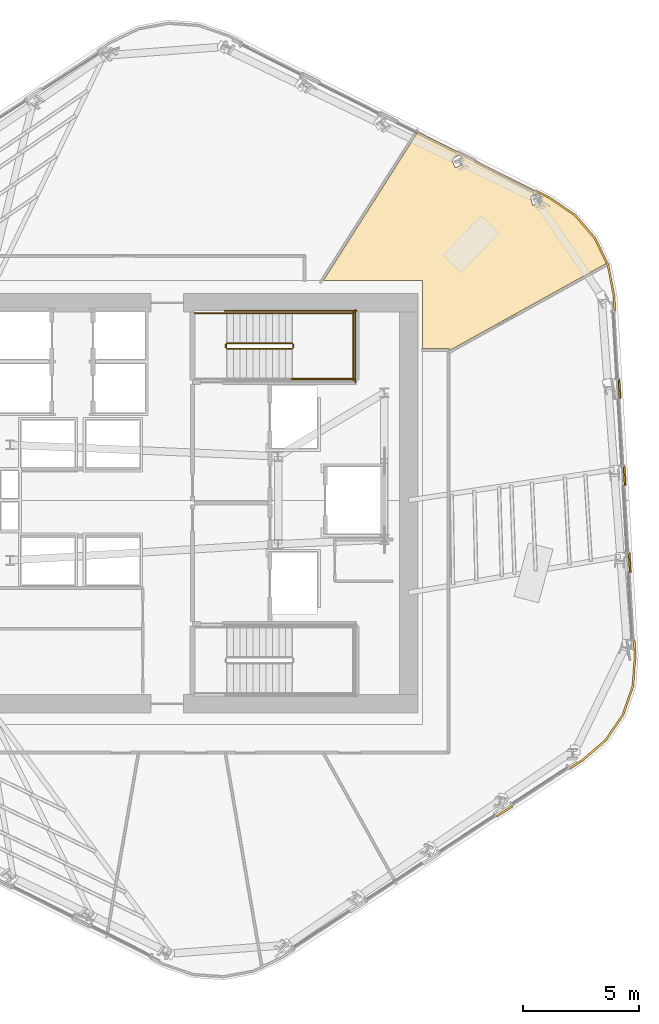
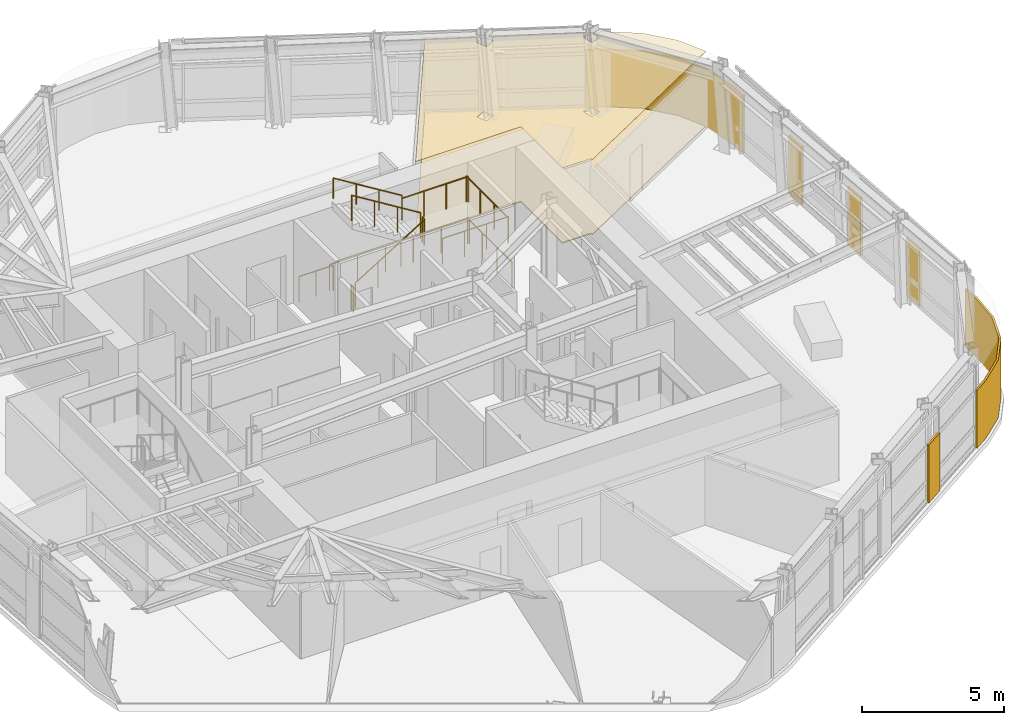
# One storey, part 13 of 15: 11 railings, 8 coverings.
"""IFC4 building model written with IfcOpenShell, lengths in metres."""

from ifc_helpers import new_model, si_unit, direction, frame, origin, origin_2d, place, context, subcontext, project, spatial, polyline, circle, outline, extrude, material, layer, layer_set, type_object, element, save


model = new_model("IFC4")

# Units and contexts
model_context = context("Model", 3, precision=1e-05, world=origin(), true_north=direction((0.0, 1.0)))
body_context = subcontext(model_context, "Body", "Model", "MODEL_VIEW")
ifc_project = project(units=[si_unit("LENGTHUNIT", "METRE"), si_unit("AREAUNIT", "SQUARE_METRE"), si_unit("VOLUMEUNIT", "CUBIC_METRE"), si_unit("PLANEANGLEUNIT", "RADIAN"), si_unit("MASSUNIT", "GRAM", prefix="KILO")], contexts=[model_context])

# Site, building, storey
site_placement = place(None, origin())
site = spatial("IfcSite", under=ifc_project, at=site_placement, CompositionType="ELEMENT")
building_placement = place(site_placement, origin())
building = spatial("IfcBuilding", under=site, at=building_placement, Name="Valkerne Bourse Tower", CompositionType="ELEMENT")
storey_placement = place(building_placement, frame((0.0, 0.0, 166.60009765625)))
storey = spatial("IfcBuildingStorey", under=building, at=storey_placement, Name="L42", CompositionType="ELEMENT", Elevation=166.60009765625)

# Coverings
ifc_material_1 = material(Name="Mineral Fiber Acoustic Ceiling Tile", Category="acoustic")
ifc_layer_1 = layer(ifc_material_1, 0.02490234375)
ifc_layer_set_1 = layer_set([ifc_layer_1], Name="Mineral Fiber Acoustic Ceiling Tile")
covering_type_1 = type_object("IfcCoveringType", Name="COV-CEIL-ACT", PredefinedType="CEILING", material=ifc_layer_set_1)
covering_1_placement = place(storey_placement, frame((0.0, 0.0, 3.22998046875)))
element("IfcCovering", 1, at=covering_1_placement, inside=storey, type_object=covering_type_1, Name="L42 Suspended Ceiling 08", PredefinedType="CEILING", context=body_context, shape_type="SweptSolid", body=[
    extrude(outline(polyline([(64.059814453125, 38.33740234375), (64.5810546875, 37.2587890625), (57.78857421875, 33.492919921875), (57.787109375, 33.516357421875), (57.775146484375, 33.54150390625), (57.7548828125, 33.5595703125), (57.724365234375, 33.56884765625), (56.60009765625, 33.569091796875), (56.60009765625, 36.5), (52.30810546875, 36.5), (56.409912109375, 42.95361328125), (62.09814453125, 40.08349609375), (63.197509765625, 39.33642578125), (64.059814453125, 38.33740234375)]), holes=[polyline([(61.664794921875, 40.2744140625), (61.6630859375, 40.276611328125), (61.26220703125, 40.172607421875), (61.367431640625, 39.762451171875), (61.369384765625, 39.76025390625), (61.770263671875, 39.864501953125), (61.664794921875, 40.2744140625)]), polyline([(58.4033203125, 41.563720703125), (58.22265625, 41.947021484375), (58.220458984375, 41.948486328125), (57.846435546875, 41.77099609375), (58.027099609375, 41.387939453125), (58.029296875, 41.38623046875), (58.4033203125, 41.563720703125)])]), origin(), (0.0, 0.0, 1.0), 0.02490234375),
])
ifc_material_2 = material(Name="Bronze Anodised Aluminium AA 6063-T6", Category="aluminium")
ifc_layer_2 = layer(ifc_material_2, 0.06005859375)
ifc_layer_set_2 = layer_set([ifc_layer_2], Name="Bronze Anodised Aluminium AA 6063-T6")
covering_type_2 = type_object("IfcCoveringType", Name="COV-CRN-ALUM", PredefinedType="CLADDING", material=ifc_layer_set_2)
covering_2_placement = place(storey_placement, origin())
element("IfcCovering", 2, at=covering_2_placement, inside=storey, type_object=covering_type_2, Name="L42 Wind-Shaped Corner Aluminium Cladding 01", PredefinedType="CLADDING", context=body_context, shape_type="SweptSolid", body=[
    extrude(outline(polyline([(65.74658203125, 18.9482421875), (65.308837890625, 17.69091796875), (64.560791015625, 16.590087890625), (63.548095703125, 15.716064453125), (62.978515625, 15.343017578125), (62.934326171875, 15.40966796875), (63.499755859375, 15.780029296875), (64.50048828125, 16.643798828125), (65.23681640625, 17.727294921875), (65.66748046875, 18.964599609375), (65.764404296875, 20.28271484375), (65.724609375, 20.95751953125), (65.804443359375, 20.9619140625), (65.844482421875, 20.2822265625), (65.74658203125, 18.9482421875)])), origin(), (0.0, 0.0, 1.0), 2.5),
])
covering_3_placement = place(storey_placement, origin())
element("IfcCovering", 3, at=covering_3_placement, inside=storey, type_object=covering_type_2, Name="L42 Wind-Shaped Corner Aluminium Cladding 02", PredefinedType="CLADDING", context=body_context, shape_type="SweptSolid", body=[
    extrude(outline(polyline([(59.823974609375, 13.276611328125), (59.77978515625, 13.343505859375), (60.482666015625, 13.8037109375), (60.526611328125, 13.73681640625), (59.823974609375, 13.276611328125)])), origin(), (0.0, 0.0, 1.0), 2.5),
])
covering_4_placement = place(storey_placement, origin())
element("IfcCovering", 4, at=covering_4_placement, inside=storey, type_object=covering_type_2, Name="L42 Wind-Shaped Corner Aluminium Cladding 21", PredefinedType="CLADDING", context=body_context, shape_type="SweptSolid", body=[
    extrude(outline(polyline([(62.12060546875, 40.121337890625), (63.22705078125, 39.369384765625), (64.0966796875, 38.36181640625), (64.676025390625, 37.163330078125), (64.927001953125, 35.84912109375), (64.96630859375, 35.181396484375), (64.886474609375, 35.1767578125), (64.847412109375, 35.83935546875), (64.599609375, 37.13818359375), (64.029296875, 38.3173828125), (63.17333984375, 39.30908203125), (62.079833984375, 40.052490234375), (61.487060546875, 40.351318359375), (61.523193359375, 40.4228515625), (62.12060546875, 40.121337890625)])), origin(), (0.0, 0.0, 1.0), 2.5),
])
covering_5_placement = place(storey_placement, origin())
element("IfcCovering", 5, at=covering_5_placement, inside=storey, type_object=covering_type_2, Name="L42 Wind-Shaped Corner Aluminium Cladding 22", PredefinedType="CLADDING", context=body_context, shape_type="SweptSolid", body=[
    extrude(outline(polyline([(65.188232421875, 31.416748046875), (65.1083984375, 31.412109375), (65.058837890625, 32.250732421875), (65.138671875, 32.25537109375), (65.188232421875, 31.416748046875)])), origin(), (0.0, 0.0, 1.0), 2.5),
])
covering_6_placement = place(storey_placement, origin())
element("IfcCovering", 6, at=covering_6_placement, inside=storey, type_object=covering_type_2, Name="L42 Wind-Shaped Corner Aluminium Cladding 23", PredefinedType="CLADDING", context=body_context, shape_type="SweptSolid", body=[
    extrude(outline(polyline([(65.41015625, 27.65234375), (65.330078125, 27.647705078125), (65.28076171875, 28.486328125), (65.360595703125, 28.490966796875), (65.41015625, 27.65234375)])), origin(), (0.0, 0.0, 1.0), 2.5),
])
covering_7_placement = place(storey_placement, origin())
element("IfcCovering", 7, at=covering_7_placement, inside=storey, type_object=covering_type_2, Name="L42 Wind-Shaped Corner Aluminium Cladding 24", PredefinedType="CLADDING", context=body_context, shape_type="SweptSolid", body=[
    extrude(outline(polyline([(65.632080078125, 23.887939453125), (65.552001953125, 23.88330078125), (65.502685546875, 24.721923828125), (65.58251953125, 24.7265625), (65.632080078125, 23.887939453125)])), origin(), (0.0, 0.0, 1.0), 2.5),
])
ifc_material_3 = material(Name="Galvanised Painted Steel", Category="steel")
ifc_layer_3 = layer(ifc_material_3, 0.044921875)
ifc_layer_set_3 = layer_set([ifc_layer_3], Name="Galvanised Painted Steel")
covering_type_3 = type_object("IfcCoveringType", Name="COV-FLR-RAF", PredefinedType="FLOORING", material=ifc_layer_set_3)
covering_8_placement = place(storey_placement, origin())
element("IfcCovering", 8, at=covering_8_placement, inside=storey, type_object=covering_type_3, Name="L42 Floor Finish 08", PredefinedType="FLOORING", context=body_context, shape_type="SweptSolid", body=[
    extrude(outline(polyline([(64.059814453125, 38.33740234375), (64.5810546875, 37.2587890625), (57.78857421875, 33.492919921875), (57.787109375, 33.516357421875), (57.775146484375, 33.54150390625), (57.7548828125, 33.5595703125), (57.724365234375, 33.56884765625), (56.60009765625, 33.569091796875), (56.60009765625, 36.5), (52.30810546875, 36.5), (56.409912109375, 42.95361328125), (62.09814453125, 40.08349609375), (63.197509765625, 39.33642578125), (64.059814453125, 38.33740234375)]), holes=[polyline([(61.664794921875, 40.2744140625), (61.6630859375, 40.276611328125), (61.26220703125, 40.172607421875), (61.367431640625, 39.762451171875), (61.369384765625, 39.76025390625), (61.770263671875, 39.864501953125), (61.664794921875, 40.2744140625)]), polyline([(58.4033203125, 41.563720703125), (58.22265625, 41.947021484375), (58.220458984375, 41.948486328125), (57.846435546875, 41.77099609375), (58.027099609375, 41.387939453125), (58.029296875, 41.38623046875), (58.4033203125, 41.563720703125)])]), origin(), (0.0, 0.0, 1.0), 0.044921875),
])

# Railings
railing_type_1 = type_object("IfcRailingType", Name="RLG-ST-GUARD-1120", PredefinedType="GUARDRAIL", material=ifc_material_3)
railing_1_placement = place(storey_placement, frame((48.14990234375, 33.550048828125, 0.172607421875)))
element("IfcRailing", 9, at=railing_1_placement, inside=storey, type_object=railing_type_1, Name="L42 ST-2 stair guard 1", PredefinedType="GUARDRAIL", context=body_context, shape_type="SweptSolid", body=[
    extrude(circle(Radius=0.02392578125, at=origin_2d()), frame((0.0, 0.0, 1.09619140625), z_axis=(0.851089632645, 0.0, 0.525020415988), x_axis=(0.0, 1.0, 0.0)), (0.0, 0.0, 1.0), 3.2900390625),
    extrude(circle(Radius=0.02099609375, at=origin_2d()), origin(), (0.0, 0.0, 1.0), 1.072021484375),
    extrude(circle(Radius=0.02099609375, at=origin_2d()), frame((0.933349609375, 0.0, 0.57568359375)), (0.0, 0.0, 1.0), 1.072021484375),
    extrude(circle(Radius=0.02099609375, at=origin_2d()), frame((1.86669921875, 0.0, 1.151611328125)), (0.0, 0.0, 1.0), 1.072021484375),
    extrude(circle(Radius=0.02099609375, at=origin_2d()), frame((2.800048828125, 0.0, 1.727294921875)), (0.0, 0.0, 1.0), 1.072021484375),
])
railing_2_placement = place(storey_placement, frame((51.0, 33.60009765625, 1.89990234375)))
element("IfcRailing", 10, at=railing_2_placement, inside=storey, type_object=railing_type_1, Name="L42 ST-2 stair guard 2", PredefinedType="GUARDRAIL", context=body_context, shape_type="SweptSolid", body=[
    extrude(circle(Radius=0.02392578125, at=origin_2d()), frame((0.0, 0.0, 1.09619140625), z_axis=(0.0, 1.0, 0.0), x_axis=(-1.0, 0.0, 0.0)), (0.0, 0.0, 1.0), 0.14990234375),
    extrude(circle(Radius=0.02099609375, at=origin_2d()), origin(), (0.0, 0.0, 1.0), 1.072021484375),
    extrude(circle(Radius=0.02099609375, at=origin_2d()), frame((0.0, 0.14990234375, 0.0)), (0.0, 0.0, 1.0), 1.072021484375),
])
for number, where, name in (
    (11, (50.949951171875, 32.25, 1.89990234375), "L42 ST-2 stair guard 3"),
    (12, (50.949951171875, 35.10009765625, 1.89990234375), "L42 ST-2 stair guard 4"),
):
    element("IfcRailing", number, at=place(storey_placement, frame(where)), inside=storey, type_object=railing_type_1, Name=name, PredefinedType="GUARDRAIL", context=body_context, shape_type="SweptSolid", body=[
        extrude(circle(Radius=0.02392578125, at=origin_2d()), frame((0.0, 0.0, 1.09619140625), z_axis=(1.0, 0.0, 0.0), x_axis=(0.0, 1.0, 0.0)), (0.0, 0.0, 1.0), 2.699951171875),
        extrude(circle(Radius=0.02099609375, at=origin_2d()), origin(), (0.0, 0.0, 1.0), 1.072021484375),
        extrude(circle(Radius=0.02099609375, at=origin_2d()), frame((0.89990234375, 0.0, 0.0)), (0.0, 0.0, 1.0), 1.072021484375),
        extrude(circle(Radius=0.02099609375, at=origin_2d()), frame((1.800048828125, 0.0, 0.0)), (0.0, 0.0, 1.0), 1.072021484375),
        extrude(circle(Radius=0.02099609375, at=origin_2d()), frame((2.699951171875, 0.0, 0.0)), (0.0, 0.0, 1.0), 1.072021484375),
    ])
railing_3_placement = place(storey_placement, frame((53.60009765625, 32.199951171875, 1.89990234375)))
element("IfcRailing", 13, at=railing_3_placement, inside=storey, type_object=railing_type_1, Name="L42 ST-2 stair guard 5", PredefinedType="GUARDRAIL", context=body_context, shape_type="SweptSolid", body=[
    extrude(circle(Radius=0.02392578125, at=origin_2d()), frame((0.0, 0.0, 1.09619140625), z_axis=(0.0, 1.0, 0.0), x_axis=(-1.0, 0.0, 0.0)), (0.0, 0.0, 1.0), 2.949951171875),
    extrude(circle(Radius=0.02099609375, at=origin_2d()), origin(), (0.0, 0.0, 1.0), 1.072021484375),
    extrude(circle(Radius=0.02099609375, at=origin_2d()), frame((0.0, 0.9833984375, 0.0)), (0.0, 0.0, 1.0), 1.072021484375),
    extrude(circle(Radius=0.02099609375, at=origin_2d()), frame((0.0, 1.966552734375, 0.0)), (0.0, 0.0, 1.0), 1.072021484375),
    extrude(circle(Radius=0.02099609375, at=origin_2d()), frame((0.0, 2.949951171875, 0.0)), (0.0, 0.0, 1.0), 1.072021484375),
])
railing_4_placement = place(storey_placement, frame((50.949951171875, 33.800048828125, 2.072509765625)))
element("IfcRailing", 14, at=railing_4_placement, inside=storey, type_object=railing_type_1, Name="L42 ST-2 stair guard 6", PredefinedType="GUARDRAIL", context=body_context, shape_type="SweptSolid", body=[
    extrude(circle(Radius=0.02392578125, at=origin_2d()), frame((0.0, 0.0, 1.09619140625), z_axis=(-0.851089632645, 0.0, 0.525020415988), x_axis=(0.0, -1.0, 0.0)), (0.0, 0.0, 1.0), 3.2900390625),
    extrude(circle(Radius=0.02099609375, at=origin_2d()), origin(), (0.0, 0.0, 1.0), 1.072021484375),
    extrude(circle(Radius=0.02099609375, at=origin_2d()), frame((-0.933349609375, 0.0, 0.57568359375)), (0.0, 0.0, 1.0), 1.072021484375),
    extrude(circle(Radius=0.02099609375, at=origin_2d()), frame((-1.86669921875, 0.0, 1.151611328125)), (0.0, 0.0, 1.0), 1.072021484375),
    extrude(circle(Radius=0.02099609375, at=origin_2d()), frame((-2.800048828125, 0.0, 1.727294921875)), (0.0, 0.0, 1.0), 1.072021484375),
])
railing_5_placement = place(storey_placement, frame((48.10009765625, 33.60009765625, 0.0)))
element("IfcRailing", 15, at=railing_5_placement, inside=storey, type_object=railing_type_1, Name="L42 ST-2 stair guard 7", PredefinedType="GUARDRAIL", context=body_context, shape_type="SweptSolid", body=[
    extrude(circle(Radius=0.02392578125, at=origin_2d()), frame((0.0, 0.0, 1.09619140625), z_axis=(0.0, 1.0, 0.0), x_axis=(-1.0, 0.0, 0.0)), (0.0, 0.0, 1.0), 0.14990234375),
    extrude(circle(Radius=0.02099609375, at=origin_2d()), origin(), (0.0, 0.0, 1.0), 1.072021484375),
    extrude(circle(Radius=0.02099609375, at=origin_2d()), frame((0.0, 0.14990234375, 0.0)), (0.0, 0.0, 1.0), 1.072021484375),
])
railing_6_placement = place(storey_placement, frame((46.75, 35.10009765625, 0.0)))
element("IfcRailing", 16, at=railing_6_placement, inside=storey, type_object=railing_type_1, Name="L42 ST-2 stair guard 9", PredefinedType="GUARDRAIL", context=body_context, shape_type="SweptSolid", body=[
    extrude(circle(Radius=0.02392578125, at=origin_2d()), frame((0.0, 0.0, 1.09619140625), z_axis=(1.0, 0.0, 0.0), x_axis=(0.0, 1.0, 0.0)), (0.0, 0.0, 1.0), 1.39990234375),
    extrude(circle(Radius=0.02099609375, at=origin_2d()), origin(), (0.0, 0.0, 1.0), 1.072021484375),
    extrude(circle(Radius=0.02099609375, at=origin_2d()), frame((0.699951171875, 0.0, 0.0)), (0.0, 0.0, 1.0), 1.072021484375),
    extrude(circle(Radius=0.02099609375, at=origin_2d()), frame((1.39990234375, 0.0, 0.0)), (0.0, 0.0, 1.0), 1.072021484375),
])
railing_7_placement = place(storey_placement, frame((48.050048828125, 35.199951171875, 0.0)))
element("IfcRailing", 17, at=railing_7_placement, inside=storey, type_object=railing_type_1, Name="L42 ST-2 stair guard 11", PredefinedType="GUARDRAIL", context=body_context, shape_type="SweptSolid", body=[
    extrude(circle(Radius=0.02392578125, at=origin_2d()), frame((0.0, 0.0, 1.09619140625), z_axis=(1.0, 0.0, 0.0), x_axis=(0.0, 1.0, 0.0)), (0.0, 0.0, 1.0), 5.699951171875),
    extrude(circle(Radius=0.02099609375, at=origin_2d()), origin(), (0.0, 0.0, 1.0), 1.072021484375),
    extrude(circle(Radius=0.02099609375, at=origin_2d()), frame((1.139892578125, 0.0, 0.0)), (0.0, 0.0, 1.0), 1.072021484375),
    extrude(circle(Radius=0.02099609375, at=origin_2d()), frame((2.280029296875, 0.0, 0.0)), (0.0, 0.0, 1.0), 1.072021484375),
    extrude(circle(Radius=0.02099609375, at=origin_2d()), frame((3.419921875, 0.0, 0.0)), (0.0, 0.0, 1.0), 1.072021484375),
    extrude(circle(Radius=0.02099609375, at=origin_2d()), frame((4.56005859375, 0.0, 0.0)), (0.0, 0.0, 1.0), 1.072021484375),
    extrude(circle(Radius=0.02099609375, at=origin_2d()), frame((5.699951171875, 0.0, 0.0)), (0.0, 0.0, 1.0), 1.072021484375),
])
railing_8_placement = place(storey_placement, frame((53.699951171875, 32.10009765625, 0.0)))
element("IfcRailing", 18, at=railing_8_placement, inside=storey, type_object=railing_type_1, Name="L42 ST-2 stair guard 12", PredefinedType="GUARDRAIL", context=body_context, shape_type="SweptSolid", body=[
    extrude(circle(Radius=0.02392578125, at=origin_2d()), frame((0.0, 0.0, 1.09619140625), z_axis=(0.0, 1.0, 0.0), x_axis=(-1.0, 0.0, 0.0)), (0.0, 0.0, 1.0), 3.14990234375),
    extrude(circle(Radius=0.02099609375, at=origin_2d()), origin(), (0.0, 0.0, 1.0), 1.072021484375),
    extrude(circle(Radius=0.02099609375, at=origin_2d()), frame((0.0, 1.050048828125, 0.0)), (0.0, 0.0, 1.0), 1.072021484375),
    extrude(circle(Radius=0.02099609375, at=origin_2d()), frame((0.0, 2.099853515625, 0.0)), (0.0, 0.0, 1.0), 1.072021484375),
    extrude(circle(Radius=0.02099609375, at=origin_2d()), frame((0.0, 3.14990234375, 0.0)), (0.0, 0.0, 1.0), 1.072021484375),
])
ifc_material_4 = material(Name="Stainless Steel AISI 316", Category="steel")
railing_type_2 = type_object("IfcRailingType", Name="RLG-ST-HANDRAIL-900", PredefinedType="HANDRAIL", material=ifc_material_4)
railing_9_placement = place(storey_placement, frame((50.949951171875, 35.10009765625, 2.245361328125)))
element("IfcRailing", 19, at=railing_9_placement, inside=storey, type_object=railing_type_2, Name="L42 ST-2 stair handrail 2", PredefinedType="HANDRAIL", context=body_context, shape_type="SweptSolid", body=[
    extrude(circle(Radius=0.02392578125, at=origin_2d()), frame((0.0, 0.0, 0.8759765625), z_axis=(-0.851089632645, 0.0, 0.525020415988), x_axis=(0.0, -1.0, 0.0)), (0.0, 0.0, 1.0), 3.2900390625),
    extrude(circle(Radius=0.02099609375, at=origin_2d()), origin(), (0.0, 0.0, 1.0), 0.851806640625),
    extrude(circle(Radius=0.02099609375, at=origin_2d()), frame((-0.933349609375, 0.0, 0.57568359375)), (0.0, 0.0, 1.0), 0.851806640625),
    extrude(circle(Radius=0.02099609375, at=origin_2d()), frame((-1.86669921875, 0.0, 1.151611328125)), (0.0, 0.0, 1.0), 0.851806640625),
    extrude(circle(Radius=0.02099609375, at=origin_2d()), frame((-2.800048828125, 0.0, 1.727294921875)), (0.0, 0.0, 1.0), 0.851806640625),
])

save(model, "model.ifc")
